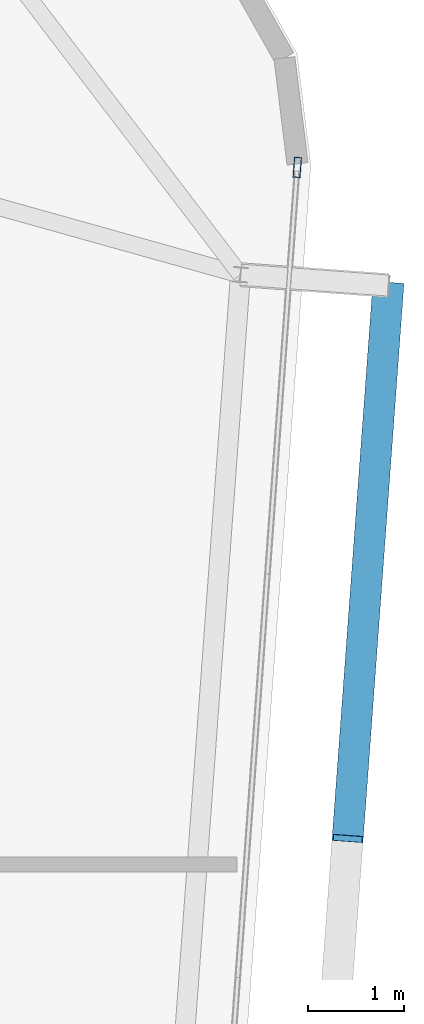
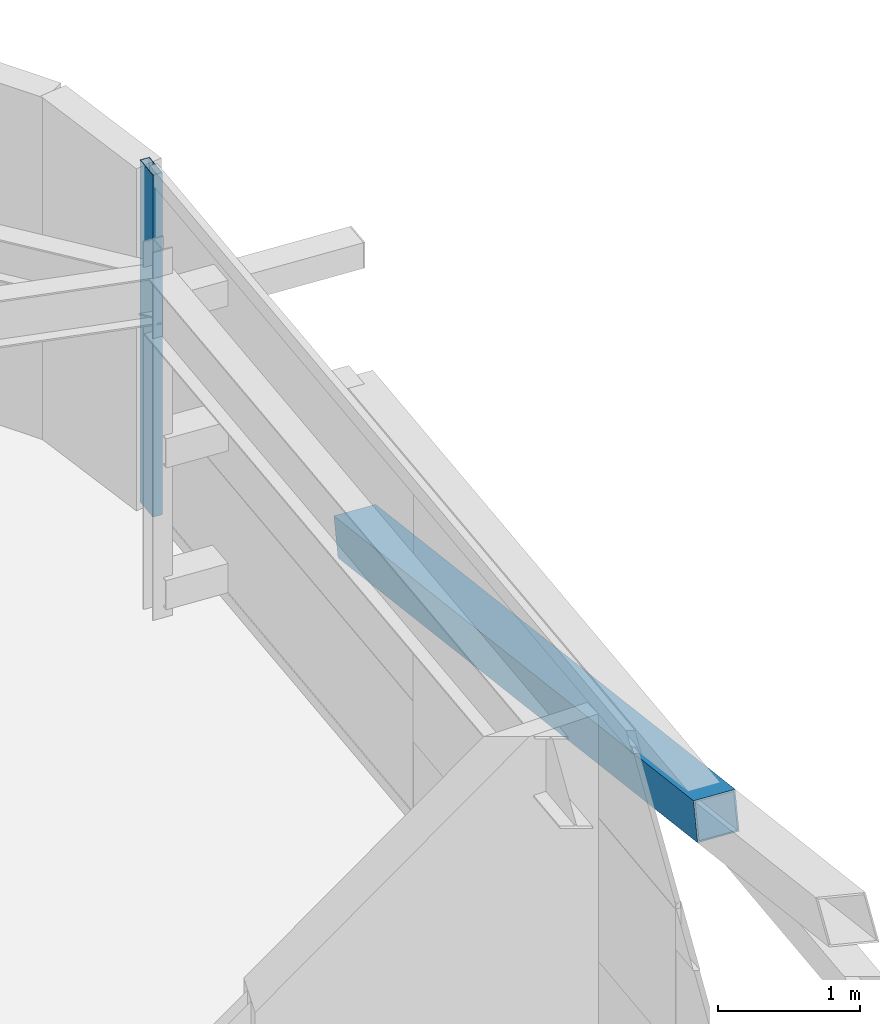
# One storey, part 19 of 34: 2 members, 1 element without a shape of its own.
"""IFC4 building model written with IfcOpenShell, lengths in metres."""

from ifc_helpers import new_model, si_unit, direction, frame, origin, origin_2d, place, context, subcontext, project, spatial, hollow_rectangle, extrude, source, transform, mapped, material, layer, layer_set, material_profile, profile_set, type_object, element, aggregate, save


model = new_model("IFC4")

# Units and contexts
model_context = context("Model", 3, precision=1e-05, world=origin(), true_north=direction((0.0, 1.0)))
body_context = subcontext(model_context, "Body", "Model", "MODEL_VIEW")
ifc_project = project(units=[si_unit("LENGTHUNIT", "METRE"), si_unit("AREAUNIT", "SQUARE_METRE"), si_unit("VOLUMEUNIT", "CUBIC_METRE"), si_unit("PLANEANGLEUNIT", "RADIAN"), si_unit("MASSUNIT", "GRAM", prefix="KILO")], contexts=[model_context])

# Site, building, storey
site_placement = place(None, origin())
site = spatial("IfcSite", under=ifc_project, at=site_placement, CompositionType="ELEMENT")
building_placement = place(site_placement, origin())
building = spatial("IfcBuilding", under=site, at=building_placement, Name="Taldren Reach Tower", CompositionType="ELEMENT")
storey_placement = place(building_placement, frame((0.0, 0.0, 242.89990234375)))
storey = spatial("IfcBuildingStorey", under=building, at=storey_placement, Name="L74", CompositionType="ELEMENT", Elevation=242.89990234375)

# Member
ifc_material_1 = material(Name="Steel Gr 450 (C450L0)", Category="steel")
ifc_material_profile_1 = material_profile(ifc_material_1, hollow_rectangle(XDim=0.324951171875, YDim=0.324951171875, WallThickness=0.0126953125, at=origin_2d()), Name="325x325x12.7SHS")
ifc_profile_set_1 = profile_set([ifc_material_profile_1], Name="Steel Gr 450 (C450L0)")
member_type_1 = type_object("IfcMemberType", Name="MB-BR324", PredefinedType="BRACE", material=ifc_profile_set_1)
shared_shape_1 = source(origin(), body_context, "Body", "SweptSolid", [
    extrude(hollow_rectangle(XDim=0.324951171875, YDim=0.324951171875, WallThickness=0.0126953125, at=origin_2d()), origin(), (0.0, 0.0, 1.0), 5.92578125),
])
member_1_placement = place(storey_placement, frame((59.086669921875, 30.05517578125, 0.22021484375), z_axis=(-0.071686540919, -0.976131732187, 0.205007027365), x_axis=(0.997314185625, -0.073242167855, 0.0)))
element("IfcMember", 1, at=member_1_placement, inside=storey, type_object=member_type_1, Name="Exoskeleton Diagrid Brace B5-E2 L74", PredefinedType="BRACE", context=body_context, shape_type="MappedRepresentation", body=[
    mapped(shared_shape_1, transform((0.0, 0.0, 0.0), scale=1.0)),
])

# Curtain wall, member
ifc_material_2 = material(Name="Aluminium and Low-E Glass Unitised System", Category="aluminium")
ifc_layer = layer(ifc_material_2, 0.159912109375)
ifc_layer_set = layer_set([ifc_layer], Name="Aluminium and Low-E Glass Unitised System")
curtain_wall_type = type_object("IfcCurtainWallType", Name="CW-SYS-6", PredefinedType="NOTDEFINED", material=ifc_layer_set)
curtain_wall_placement = place(storey_placement, origin())
curtain_wall = element("IfcCurtainWall", 2, at=curtain_wall_placement, inside=storey, type_object=curtain_wall_type, Name="Unitised curtain wall CW-L74-E", PredefinedType="NOTDEFINED")
ifc_material_3 = material(Name="Anodised Aluminium 6063-T6", Category="aluminium")
ifc_material_profile_2 = material_profile(ifc_material_3, hollow_rectangle(XDim=0.074951171875, YDim=0.2099609375, WallThickness=0.00439453125, at=origin_2d()), Name="ALU-210x75x4.5RHS")
ifc_profile_set_2 = profile_set([ifc_material_profile_2], Name="Anodised Aluminium 6063-T6")
member_type_2 = type_object("IfcMemberType", Name="CW-MUL-200", PredefinedType="MULLION", material=ifc_profile_set_2)
shared_shape_2 = source(origin(), body_context, "Body", "SweptSolid", [
    extrude(hollow_rectangle(XDim=0.074951171875, YDim=0.2099609375, WallThickness=0.00439453125, at=origin_2d()), origin(), (0.0, 0.0, 1.0), 2.93017578125),
])
member_2_placement = place(storey_placement, frame((58.134765625, 31.29052734375, 0.0), z_axis=(0.0, 0.0, 1.0), x_axis=(-0.997314470951, 0.073238282558, 0.0)))
member_2 = element("IfcMember", 3, at=member_2_placement, type_object=member_type_2, Name="CW-6 mullion 3", PredefinedType="MULLION", context=body_context, shape_type="MappedRepresentation", body=[
    mapped(shared_shape_2, transform((0.0, 0.0, 0.0), scale=1.0)),
])
aggregate(curtain_wall, [member_2])

save(model, "model.ifc")
